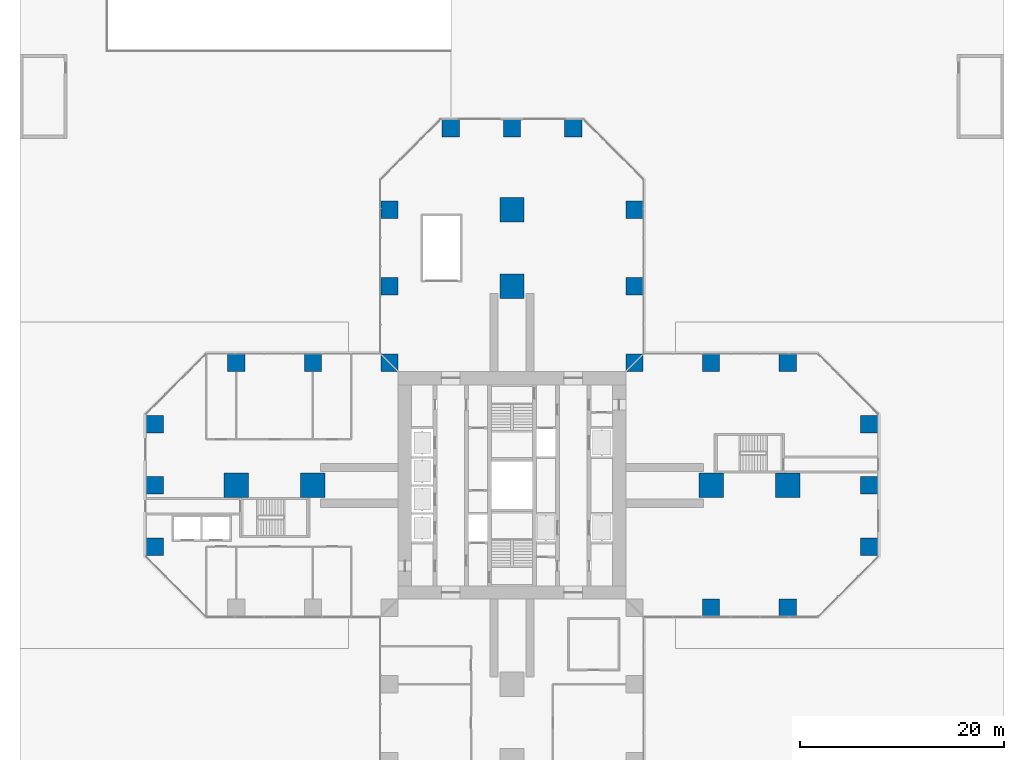
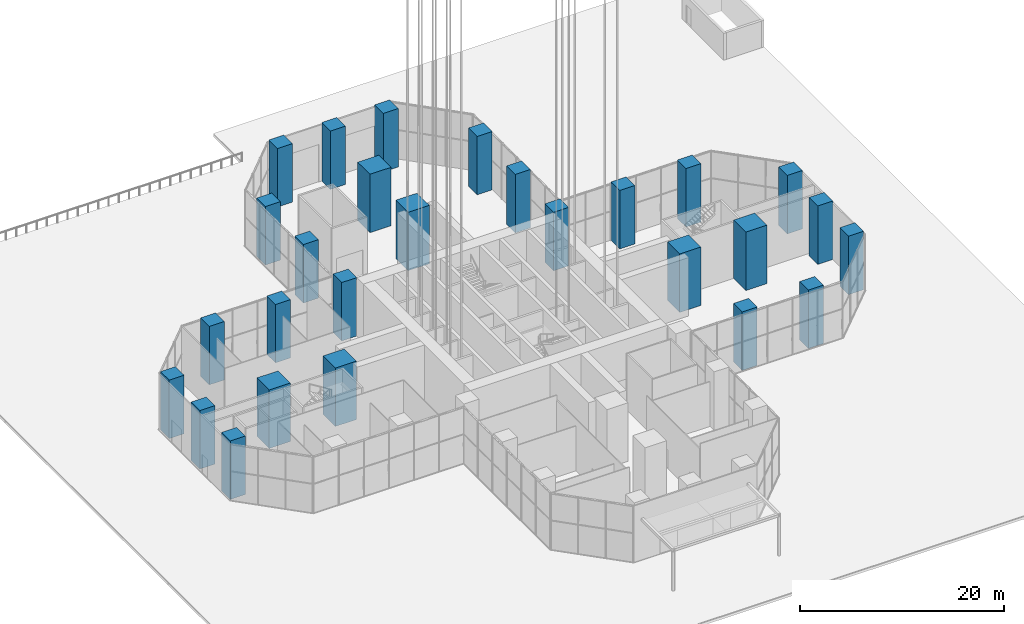
# One storey, part 3 of 43: 27 columns.
"""IFC4 building model written with IfcOpenShell, lengths in metres."""

from ifc_helpers import new_model, si_unit, direction, frame, origin, origin_2d, place, context, subcontext, project, spatial, rectangle, extrude, material, material_profile, profile_set, type_object, element, save


model = new_model("IFC4")

# Units and contexts
model_context = context("Model", 3, precision=1e-05, world=origin(), true_north=direction((0.0, 1.0)))
body_context = subcontext(model_context, "Body", "Model", "MODEL_VIEW")
ifc_project = project(units=[si_unit("LENGTHUNIT", "METRE"), si_unit("AREAUNIT", "SQUARE_METRE"), si_unit("VOLUMEUNIT", "CUBIC_METRE"), si_unit("PLANEANGLEUNIT", "RADIAN"), si_unit("MASSUNIT", "GRAM", prefix="KILO")], contexts=[model_context])

# Site, building, storey
site_placement = place(None, origin())
site = spatial("IfcSite", under=ifc_project, at=site_placement, CompositionType="ELEMENT")
building_placement = place(site_placement, origin())
building = spatial("IfcBuilding", under=site, at=building_placement, Name="Mizan Broadcast Tower", CompositionType="ELEMENT")
storey_placement = place(building_placement, origin())
storey = spatial("IfcBuildingStorey", under=building, at=storey_placement, Name="L00", CompositionType="ELEMENT", Elevation=0.0)

# Columns
ifc_material_1 = material(Name="Concrete C70/85", Category="concrete")
ifc_material_profile_1 = material_profile(ifc_material_1, rectangle(XDim=1.699951171875, YDim=1.699951171875, at=origin_2d()), Name="RC 1700x1700")
ifc_profile_set_1 = profile_set([ifc_material_profile_1], Name="Concrete C70/85")
column_type_1 = type_object("IfcColumnType", Name="RC COLUMN 1700x1700 C70/85", PredefinedType="COLUMN", material=ifc_profile_set_1)
for number, where, z_axis, x_axis, name in (
    (1, (19.5, -12.0, 0.0), (0.0, 0.0, 1.0), (1.0, 0.0, 0.0), "Column 9/D L00"),
    (2, (27.0, -12.0, 0.0), (0.0, 0.0, 1.0), (1.0, 0.0, 0.0), "Column 10/D L00"),
    (3, (-35.0, -6.0, 0.0), (0.0, 0.0, 1.0), (1.0, 0.0, 0.0), "Column 1/E L00"),
    (4, (35.0, -6.0, 0.0), (0.0, 0.0, 1.0), (1.0, 0.0, 0.0), "Column 11/E L00"),
    (5, (-35.0, 0.0, 0.0), (0.0, 0.0, 1.0), (1.0, 0.0, 0.0), "Column 1/F L00"),
    (6, (35.0, 0.0, 0.0), (0.0, 0.0, 1.0), (1.0, 0.0, 0.0), "Column 11/F L00"),
    (7, (-35.0, 6.0, 0.0), (0.0, 0.0, 1.0), (1.0, 0.0, 0.0), "Column 1/G L00"),
    (8, (35.0, 6.0, 0.0), (0.0, 0.0, 1.0), (1.0, 0.0, 0.0), "Column 11/G L00"),
    (9, (-27.0, 12.0, 0.0), (0.0, 0.0, 1.0), (1.0, 0.0, 0.0), "Column 2/H L00"),
    (10, (-19.5, 12.0, 0.0), (0.0, 0.0, 1.0), (1.0, 0.0, 0.0), "Column 3/H L00"),
    (11, (-12.0, 12.0, 0.0), (0.0, 0.0, 1.0), (1.0, 0.0, 0.0), "Column 4/H L00"),
    (12, (12.0, 12.0, 0.0), (0.0, 0.0, 1.0), (1.0, 0.0, 0.0), "Column 8/H L00"),
    (13, (19.5, 12.0, 0.0), (0.0, 0.0, 1.0), (1.0, 0.0, 0.0), "Column 9/H L00"),
    (14, (27.0, 12.0, 0.0), (0.0, 0.0, 1.0), (1.0, 0.0, 0.0), "Column 10/H L00"),
    (15, (-12.0, 19.5, 0.0), (0.0, 0.0, 1.0), (1.0, 0.0, 0.0), "Column 4/J L00"),
    (16, (12.0, 19.5, 0.0), (0.0, 0.0, 1.0), (1.0, 0.0, 0.0), "Column 8/J L00"),
    (17, (-12.0, 27.0, 0.0), (0.0, 0.0, 1.0), (1.0, 0.0, 0.0), "Column 4/K L00"),
    (18, (12.0, 27.0, 0.0), (0.0, 0.0, 1.0), (1.0, 0.0, 0.0), "Column 8/K L00"),
    (19, (-6.0, 35.0, 0.0), (0.0, 0.0, 1.0), (1.0, 0.0, 0.0), "Column 5/L L00"),
    (20, (0.0, 35.0, 0.0), (0.0, 0.0, 1.0), (1.0, 0.0, 0.0), "Column 6/L L00"),
    (21, (6.0, 35.0, 0.0), (0.0, 0.0, 1.0), (1.0, 0.0, 0.0), "Column 7/L L00"),
):
    element("IfcColumn", number, at=place(storey_placement, frame(where, z_axis=z_axis, x_axis=x_axis)), inside=storey, type_object=column_type_1, Name=name, PredefinedType="COLUMN", context=body_context, shape_type="SweptSolid", body=[
        extrude(rectangle(XDim=1.699951171875, YDim=1.699951171875, at=origin_2d()), origin(), (0.0, 0.0, 1.0), 7.0),
    ])
ifc_material_2 = material(Name="Concrete C70/85", Category="concrete")
ifc_material_profile_2 = material_profile(ifc_material_2, rectangle(XDim=2.39990234375, YDim=2.39990234375, at=origin_2d()), Name="RC 2400x2400")
ifc_profile_set_2 = profile_set([ifc_material_profile_2], Name="Concrete C70/85")
column_type_2 = type_object("IfcColumnType", Name="RC COLUMN 2400x2400 C70/85", PredefinedType="COLUMN", material=ifc_profile_set_2)
for number, where, z_axis, x_axis, name in (
    (22, (-27.0, 0.0, 0.0), (0.0, 0.0, 1.0), (1.0, 0.0, 0.0), "Column 2/F L00"),
    (23, (-19.5, 0.0, 0.0), (0.0, 0.0, 1.0), (1.0, 0.0, 0.0), "Column 3/F L00"),
    (24, (19.5, 0.0, 0.0), (0.0, 0.0, 1.0), (1.0, 0.0, 0.0), "Column 9/F L00"),
    (25, (27.0, 0.0, 0.0), (0.0, 0.0, 1.0), (1.0, 0.0, 0.0), "Column 10/F L00"),
    (26, (0.0, 19.5, 0.0), (0.0, 0.0, 1.0), (1.0, 0.0, 0.0), "Column 6/J L00"),
    (27, (0.0, 27.0, 0.0), (0.0, 0.0, 1.0), (1.0, 0.0, 0.0), "Column 6/K L00"),
):
    element("IfcColumn", number, at=place(storey_placement, frame(where, z_axis=z_axis, x_axis=x_axis)), inside=storey, type_object=column_type_2, Name=name, PredefinedType="COLUMN", context=body_context, shape_type="SweptSolid", body=[
        extrude(rectangle(XDim=2.39990234375, YDim=2.39990234375, at=origin_2d()), origin(), (0.0, 0.0, 1.0), 7.0),
    ])

save(model, "model.ifc")
